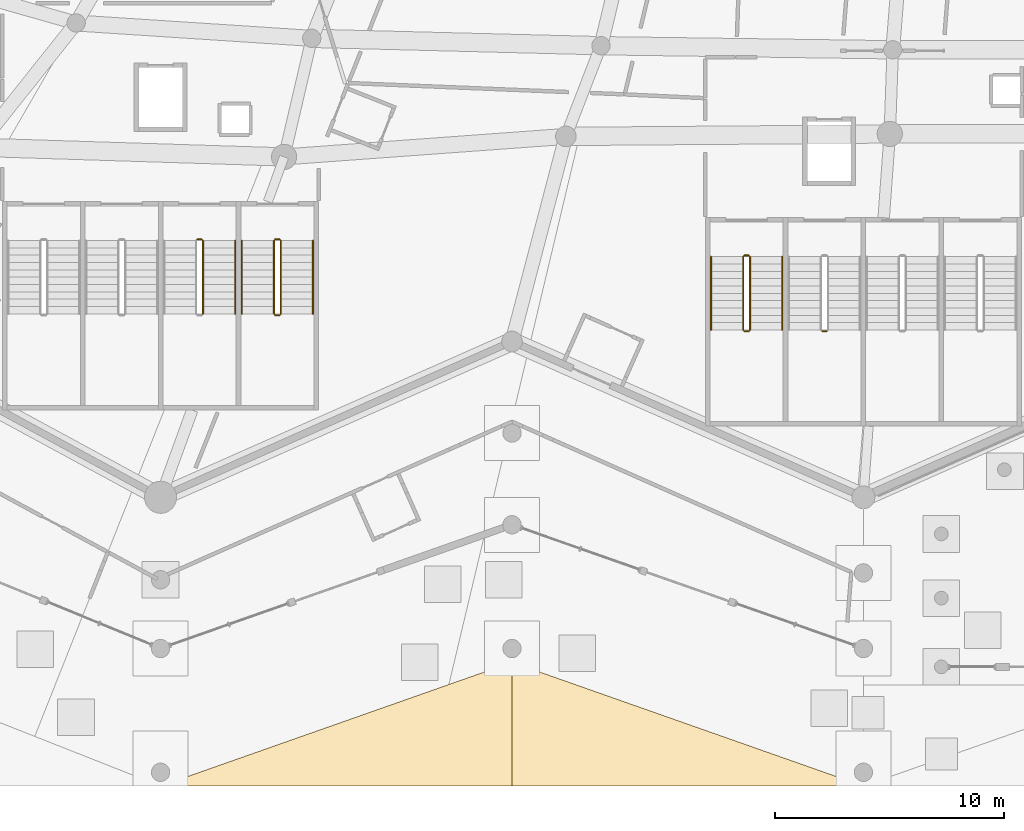
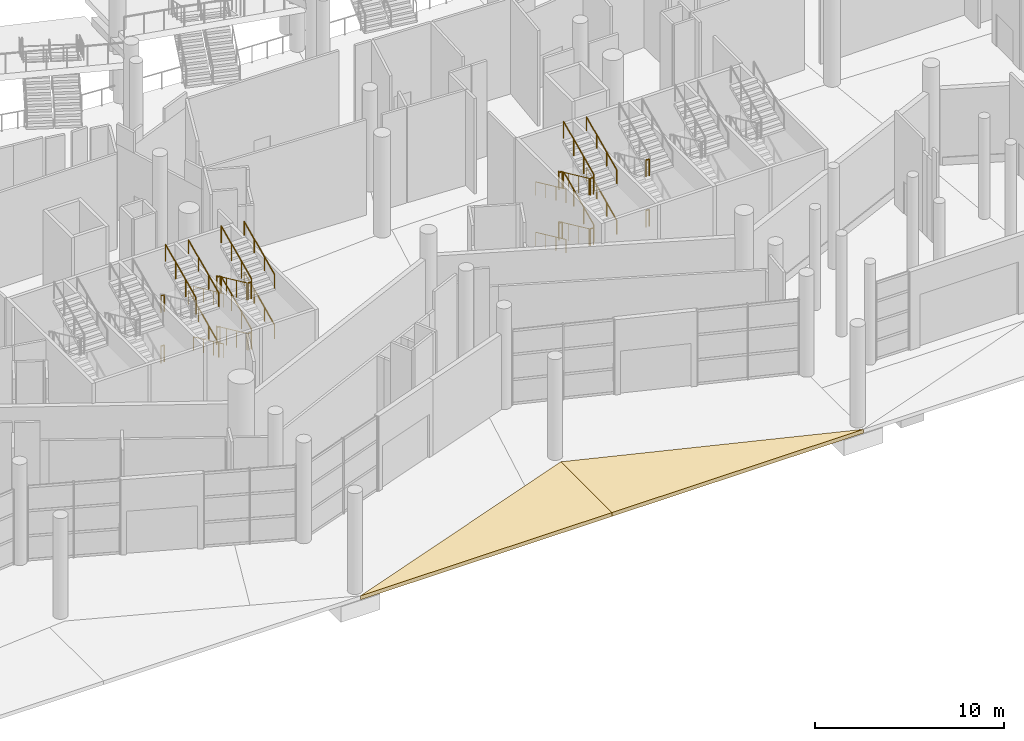
# One storey, part 192 of 255: 31 railings, 2 coverings.
"""IFC4 building model written with IfcOpenShell, lengths in metres."""

from ifc_helpers import new_model, si_unit, direction, frame, origin, origin_2d, place, context, subcontext, project, spatial, polyline, circle, outline, extrude, material, layer, layer_set, type_object, element, save


model = new_model("IFC4")

# Units and contexts
model_context = context("Model", 3, precision=1e-05, world=origin(), true_north=direction((0.0, 1.0)))
body_context = subcontext(model_context, "Body", "Model", "MODEL_VIEW")
ifc_project = project(units=[si_unit("LENGTHUNIT", "METRE"), si_unit("AREAUNIT", "SQUARE_METRE"), si_unit("VOLUMEUNIT", "CUBIC_METRE"), si_unit("PLANEANGLEUNIT", "RADIAN"), si_unit("MASSUNIT", "GRAM", prefix="KILO")], contexts=[model_context])

# Site, building, storey
site_placement = place(None, origin())
site = spatial("IfcSite", under=ifc_project, at=site_placement, CompositionType="ELEMENT")
building_placement = place(site_placement, origin())
building = spatial("IfcBuilding", under=site, at=building_placement, Name="Meseta Stadium", CompositionType="ELEMENT")
storey_placement = place(building_placement, origin())
storey = spatial("IfcBuildingStorey", under=building, at=storey_placement, Name="L00", CompositionType="ELEMENT", Elevation=0.0)

# Coverings
ifc_material_1 = material(Name="Guadarrama granite paving on bedding", Category="masonry")
ifc_layer = layer(ifc_material_1, 0.25)
ifc_layer_set = layer_set([ifc_layer], Name="Ground paving 250")
covering_type = type_object("IfcCoveringType", Name="Ground paving 250", PredefinedType="FLOORING", material=ifc_layer_set)
covering_1_placement = place(storey_placement, frame((0.0, 0.0, -0.25)))
element("IfcCovering", 1, at=covering_1_placement, inside=storey, type_object=covering_type, Name="Forecourt paving 02", PredefinedType="FLOORING", context=body_context, shape_type="SweptSolid", body=[
    extrude(outline(polyline([(-23.0, -112.60009765625), (-38.333251953125, -118.0), (-23.0, -118.0), (-23.0, -112.60009765625)])), origin(), (0.0, 0.0, 1.0), 0.25),
])
covering_2_placement = place(storey_placement, frame((0.0, 0.0, -0.25)))
element("IfcCovering", 2, at=covering_2_placement, inside=storey, type_object=covering_type, Name="Forecourt paving 03", PredefinedType="FLOORING", context=body_context, shape_type="SweptSolid", body=[
    extrude(outline(polyline([(-23.0, -112.60009765625), (-23.0, -118.0), (-7.666748046875, -118.0), (-23.0, -112.60009765625)])), origin(), (0.0, 0.0, 1.0), 0.25),
])

# Railings
ifc_material_2 = material(Name="Steel S355", Category="steel")
railing_type_1 = type_object("IfcRailingType", Name="Stair guard 1100", PredefinedType="GUARDRAIL", material=ifc_material_2)
railing_1_placement = place(storey_placement, frame((-36.7333984375, -94.14990234375, 3.25)))
element("IfcRailing", 3, at=railing_1_placement, inside=storey, type_object=railing_type_1, Name="ST91 L00 guard 4", PredefinedType="GUARDRAIL", context=body_context, shape_type="SweptSolid", body=[
    extrude(circle(Radius=0.02392578125, at=origin_2d()), frame((0.0, 0.0, 1.076171875), z_axis=(1.0, 0.0, 0.0), x_axis=(0.0, 1.0, 0.0)), (0.0, 0.0, 1.0), 0.199951171875),
    extrude(circle(Radius=0.02099609375, at=origin_2d()), origin(), (0.0, 0.0, 1.0), 1.052001953125),
    extrude(circle(Radius=0.02099609375, at=origin_2d()), frame((0.199951171875, 0.0, 0.0)), (0.0, 0.0, 1.0), 1.052001953125),
])
railing_2_placement = place(storey_placement, frame((-36.4833984375, -97.39990234375, 5.022705078125)))
element("IfcRailing", 4, at=railing_2_placement, inside=storey, type_object=railing_type_1, Name="ST91 L00 guard 7", PredefinedType="GUARDRAIL", context=body_context, shape_type="SweptSolid", body=[
    extrude(circle(Radius=0.02392578125, at=origin_2d()), frame((0.0, 0.0, 1.076171875), z_axis=(0.0, 0.907916804346, 0.419150422148), x_axis=(-1.0, 0.0, 0.0)), (0.0, 0.0, 1.0), 3.5244140625),
    extrude(circle(Radius=0.02099609375, at=origin_2d()), origin(), (0.0, 0.0, 1.0), 1.052001953125),
    extrude(circle(Radius=0.02099609375, at=origin_2d()), frame((0.0, 1.066650390625, 0.492431640625)), (0.0, 0.0, 1.0), 1.052001953125),
    extrude(circle(Radius=0.02099609375, at=origin_2d()), frame((0.0, 2.13330078125, 0.98486328125)), (0.0, 0.0, 1.0), 1.052001953125),
    extrude(circle(Radius=0.02099609375, at=origin_2d()), frame((0.0, 3.199951171875, 1.477294921875)), (0.0, 0.0, 1.0), 1.052001953125),
])
railing_3_placement = place(storey_placement, frame((-36.7333984375, -94.14990234375, 0.0)))
element("IfcRailing", 5, at=railing_3_placement, inside=storey, type_object=railing_type_1, Name="ST91 L00 guard 8", PredefinedType="GUARDRAIL", context=body_context, shape_type="SweptSolid", body=[
    extrude(circle(Radius=0.02392578125, at=origin_2d()), frame((0.0, 0.0, 1.076171875), z_axis=(1.0, 0.0, 0.0), x_axis=(0.0, 1.0, 0.0)), (0.0, 0.0, 1.0), 0.199951171875),
    extrude(circle(Radius=0.02099609375, at=origin_2d()), origin(), (0.0, 0.0, 1.0), 1.052001953125),
    extrude(circle(Radius=0.02099609375, at=origin_2d()), frame((0.199951171875, 0.0, 0.0)), (0.0, 0.0, 1.0), 1.052001953125),
])
railing_4_placement = place(storey_placement, frame((-33.38330078125, -94.199951171875, 0.147705078125)))
element("IfcRailing", 6, at=railing_4_placement, inside=storey, type_object=railing_type_1, Name="ST92 L00 guard 1", PredefinedType="GUARDRAIL", context=body_context, shape_type="SweptSolid", body=[
    extrude(circle(Radius=0.02392578125, at=origin_2d()), frame((0.0, 0.0, 1.076171875), z_axis=(0.0, -0.907916804346, 0.419150422148), x_axis=(1.0, 0.0, 0.0)), (0.0, 0.0, 1.0), 3.5244140625),
    extrude(circle(Radius=0.02099609375, at=origin_2d()), origin(), (0.0, 0.0, 1.0), 1.052001953125),
    extrude(circle(Radius=0.02099609375, at=origin_2d()), frame((0.0, -1.066650390625, 0.492431640625)), (0.0, 0.0, 1.0), 1.052001953125),
    extrude(circle(Radius=0.02099609375, at=origin_2d()), frame((0.0, -2.13330078125, 0.98486328125)), (0.0, 0.0, 1.0), 1.052001953125),
    extrude(circle(Radius=0.02099609375, at=origin_2d()), frame((0.0, -3.199951171875, 1.477294921875)), (0.0, 0.0, 1.0), 1.052001953125),
])
railing_5_placement = place(storey_placement, frame((-33.333251953125, -97.449951171875, 1.625)))
element("IfcRailing", 7, at=railing_5_placement, inside=storey, type_object=railing_type_1, Name="ST92 L00 guard 2", PredefinedType="GUARDRAIL", context=body_context, shape_type="SweptSolid", body=[
    extrude(circle(Radius=0.02392578125, at=origin_2d()), frame((0.0, 0.0, 1.076171875), z_axis=(1.0, 0.0, 0.0), x_axis=(0.0, 1.0, 0.0)), (0.0, 0.0, 1.0), 0.199951171875),
    extrude(circle(Radius=0.02099609375, at=origin_2d()), origin(), (0.0, 0.0, 1.0), 1.052001953125),
    extrude(circle(Radius=0.02099609375, at=origin_2d()), frame((0.199951171875, 0.0, 0.0)), (0.0, 0.0, 1.0), 1.052001953125),
])
railing_6_placement = place(storey_placement, frame((-33.083251953125, -97.39990234375, 1.772705078125)))
element("IfcRailing", 8, at=railing_6_placement, inside=storey, type_object=railing_type_1, Name="ST92 L00 guard 3", PredefinedType="GUARDRAIL", context=body_context, shape_type="SweptSolid", body=[
    extrude(circle(Radius=0.02392578125, at=origin_2d()), frame((0.0, 0.0, 1.076171875), z_axis=(0.0, 0.907916804346, 0.419150422148), x_axis=(-1.0, 0.0, 0.0)), (0.0, 0.0, 1.0), 3.5244140625),
    extrude(circle(Radius=0.02099609375, at=origin_2d()), origin(), (0.0, 0.0, 1.0), 1.052001953125),
    extrude(circle(Radius=0.02099609375, at=origin_2d()), frame((0.0, 1.066650390625, 0.492431640625)), (0.0, 0.0, 1.0), 1.052001953125),
    extrude(circle(Radius=0.02099609375, at=origin_2d()), frame((0.0, 2.13330078125, 0.98486328125)), (0.0, 0.0, 1.0), 1.052001953125),
    extrude(circle(Radius=0.02099609375, at=origin_2d()), frame((0.0, 3.199951171875, 1.477294921875)), (0.0, 0.0, 1.0), 1.052001953125),
])
railing_7_placement = place(storey_placement, frame((-33.333251953125, -94.14990234375, 3.25)))
element("IfcRailing", 9, at=railing_7_placement, inside=storey, type_object=railing_type_1, Name="ST92 L00 guard 4", PredefinedType="GUARDRAIL", context=body_context, shape_type="SweptSolid", body=[
    extrude(circle(Radius=0.02392578125, at=origin_2d()), frame((0.0, 0.0, 1.076171875), z_axis=(1.0, 0.0, 0.0), x_axis=(0.0, 1.0, 0.0)), (0.0, 0.0, 1.0), 0.199951171875),
    extrude(circle(Radius=0.02099609375, at=origin_2d()), origin(), (0.0, 0.0, 1.0), 1.052001953125),
    extrude(circle(Radius=0.02099609375, at=origin_2d()), frame((0.199951171875, 0.0, 0.0)), (0.0, 0.0, 1.0), 1.052001953125),
])
railing_8_placement = place(storey_placement, frame((-33.38330078125, -94.199951171875, 3.397705078125)))
element("IfcRailing", 10, at=railing_8_placement, inside=storey, type_object=railing_type_1, Name="ST92 L00 guard 5", PredefinedType="GUARDRAIL", context=body_context, shape_type="SweptSolid", body=[
    extrude(circle(Radius=0.02392578125, at=origin_2d()), frame((0.0, 0.0, 1.076171875), z_axis=(0.0, -0.907916804346, 0.419150422148), x_axis=(1.0, 0.0, 0.0)), (0.0, 0.0, 1.0), 3.5244140625),
    extrude(circle(Radius=0.02099609375, at=origin_2d()), origin(), (0.0, 0.0, 1.0), 1.052001953125),
    extrude(circle(Radius=0.02099609375, at=origin_2d()), frame((0.0, -1.066650390625, 0.492431640625)), (0.0, 0.0, 1.0), 1.052001953125),
    extrude(circle(Radius=0.02099609375, at=origin_2d()), frame((0.0, -2.13330078125, 0.98486328125)), (0.0, 0.0, 1.0), 1.052001953125),
    extrude(circle(Radius=0.02099609375, at=origin_2d()), frame((0.0, -3.199951171875, 1.477294921875)), (0.0, 0.0, 1.0), 1.052001953125),
])
railing_9_placement = place(storey_placement, frame((-33.333251953125, -97.449951171875, 4.875)))
element("IfcRailing", 11, at=railing_9_placement, inside=storey, type_object=railing_type_1, Name="ST92 L00 guard 6", PredefinedType="GUARDRAIL", context=body_context, shape_type="SweptSolid", body=[
    extrude(circle(Radius=0.02392578125, at=origin_2d()), frame((0.0, 0.0, 1.076171875), z_axis=(1.0, 0.0, 0.0), x_axis=(0.0, 1.0, 0.0)), (0.0, 0.0, 1.0), 0.199951171875),
    extrude(circle(Radius=0.02099609375, at=origin_2d()), origin(), (0.0, 0.0, 1.0), 1.052001953125),
    extrude(circle(Radius=0.02099609375, at=origin_2d()), frame((0.199951171875, 0.0, 0.0)), (0.0, 0.0, 1.0), 1.052001953125),
])
railing_10_placement = place(storey_placement, frame((-33.083251953125, -97.39990234375, 5.022705078125)))
element("IfcRailing", 12, at=railing_10_placement, inside=storey, type_object=railing_type_1, Name="ST92 L00 guard 7", PredefinedType="GUARDRAIL", context=body_context, shape_type="SweptSolid", body=[
    extrude(circle(Radius=0.02392578125, at=origin_2d()), frame((0.0, 0.0, 1.076171875), z_axis=(0.0, 0.907916804346, 0.419150422148), x_axis=(-1.0, 0.0, 0.0)), (0.0, 0.0, 1.0), 3.5244140625),
    extrude(circle(Radius=0.02099609375, at=origin_2d()), origin(), (0.0, 0.0, 1.0), 1.052001953125),
    extrude(circle(Radius=0.02099609375, at=origin_2d()), frame((0.0, 1.066650390625, 0.492431640625)), (0.0, 0.0, 1.0), 1.052001953125),
    extrude(circle(Radius=0.02099609375, at=origin_2d()), frame((0.0, 2.13330078125, 0.98486328125)), (0.0, 0.0, 1.0), 1.052001953125),
    extrude(circle(Radius=0.02099609375, at=origin_2d()), frame((0.0, 3.199951171875, 1.477294921875)), (0.0, 0.0, 1.0), 1.052001953125),
])
railing_11_placement = place(storey_placement, frame((-33.333251953125, -94.14990234375, 0.0)))
element("IfcRailing", 13, at=railing_11_placement, inside=storey, type_object=railing_type_1, Name="ST92 L00 guard 8", PredefinedType="GUARDRAIL", context=body_context, shape_type="SweptSolid", body=[
    extrude(circle(Radius=0.02392578125, at=origin_2d()), frame((0.0, 0.0, 1.076171875), z_axis=(1.0, 0.0, 0.0), x_axis=(0.0, 1.0, 0.0)), (0.0, 0.0, 1.0), 0.199951171875),
    extrude(circle(Radius=0.02099609375, at=origin_2d()), origin(), (0.0, 0.0, 1.0), 1.052001953125),
    extrude(circle(Radius=0.02099609375, at=origin_2d()), frame((0.199951171875, 0.0, 0.0)), (0.0, 0.0, 1.0), 1.052001953125),
])
railing_12_placement = place(storey_placement, frame((-12.916748046875, -94.89990234375, 0.147705078125)))
element("IfcRailing", 14, at=railing_12_placement, inside=storey, type_object=railing_type_1, Name="ST93 L00 guard 1", PredefinedType="GUARDRAIL", context=body_context, shape_type="SweptSolid", body=[
    extrude(circle(Radius=0.02392578125, at=origin_2d()), frame((0.0, 0.0, 1.076171875), z_axis=(0.0, -0.907928972973, 0.419124062821), x_axis=(1.0, 0.0, 0.0)), (0.0, 0.0, 1.0), 3.524658203125),
    extrude(circle(Radius=0.02099609375, at=origin_2d()), origin(), (0.0, 0.0, 1.0), 1.052001953125),
    extrude(circle(Radius=0.02099609375, at=origin_2d()), frame((0.0, -1.066650390625, 0.492431640625)), (0.0, 0.0, 1.0), 1.052001953125),
    extrude(circle(Radius=0.02099609375, at=origin_2d()), frame((0.0, -2.133544921875, 0.98486328125)), (0.0, 0.0, 1.0), 1.052001953125),
    extrude(circle(Radius=0.02099609375, at=origin_2d()), frame((0.0, -3.2001953125, 1.477294921875)), (0.0, 0.0, 1.0), 1.052001953125),
])
railing_13_placement = place(storey_placement, frame((-12.86669921875, -98.14990234375, 1.625)))
element("IfcRailing", 15, at=railing_13_placement, inside=storey, type_object=railing_type_1, Name="ST93 L00 guard 2", PredefinedType="GUARDRAIL", context=body_context, shape_type="SweptSolid", body=[
    extrude(circle(Radius=0.02392578125, at=origin_2d()), frame((0.0, 0.0, 1.076171875), z_axis=(1.0, 0.0, 0.0), x_axis=(0.0, 1.0, 0.0)), (0.0, 0.0, 1.0), 0.199951171875),
    extrude(circle(Radius=0.02099609375, at=origin_2d()), origin(), (0.0, 0.0, 1.0), 1.052001953125),
    extrude(circle(Radius=0.02099609375, at=origin_2d()), frame((0.199951171875, 0.0, 0.0)), (0.0, 0.0, 1.0), 1.052001953125),
])
railing_14_placement = place(storey_placement, frame((-12.61669921875, -98.10009765625, 1.772705078125)))
element("IfcRailing", 16, at=railing_14_placement, inside=storey, type_object=railing_type_1, Name="ST93 L00 guard 3", PredefinedType="GUARDRAIL", context=body_context, shape_type="SweptSolid", body=[
    extrude(circle(Radius=0.02392578125, at=origin_2d()), frame((0.0, 0.0, 1.076171875), z_axis=(0.0, 0.907928972973, 0.419124062821), x_axis=(-1.0, 0.0, 0.0)), (0.0, 0.0, 1.0), 3.524658203125),
    extrude(circle(Radius=0.02099609375, at=origin_2d()), origin(), (0.0, 0.0, 1.0), 1.052001953125),
    extrude(circle(Radius=0.02099609375, at=origin_2d()), frame((0.0, 1.066650390625, 0.492431640625)), (0.0, 0.0, 1.0), 1.052001953125),
    extrude(circle(Radius=0.02099609375, at=origin_2d()), frame((0.0, 2.133544921875, 0.98486328125)), (0.0, 0.0, 1.0), 1.052001953125),
    extrude(circle(Radius=0.02099609375, at=origin_2d()), frame((0.0, 3.2001953125, 1.477294921875)), (0.0, 0.0, 1.0), 1.052001953125),
])
railing_15_placement = place(storey_placement, frame((-12.86669921875, -94.85009765625, 3.25)))
element("IfcRailing", 17, at=railing_15_placement, inside=storey, type_object=railing_type_1, Name="ST93 L00 guard 4", PredefinedType="GUARDRAIL", context=body_context, shape_type="SweptSolid", body=[
    extrude(circle(Radius=0.02392578125, at=origin_2d()), frame((0.0, 0.0, 1.076171875), z_axis=(1.0, 0.0, 0.0), x_axis=(0.0, 1.0, 0.0)), (0.0, 0.0, 1.0), 0.199951171875),
    extrude(circle(Radius=0.02099609375, at=origin_2d()), origin(), (0.0, 0.0, 1.0), 1.052001953125),
    extrude(circle(Radius=0.02099609375, at=origin_2d()), frame((0.199951171875, 0.0, 0.0)), (0.0, 0.0, 1.0), 1.052001953125),
])
railing_16_placement = place(storey_placement, frame((-12.916748046875, -94.89990234375, 3.397705078125)))
element("IfcRailing", 18, at=railing_16_placement, inside=storey, type_object=railing_type_1, Name="ST93 L00 guard 5", PredefinedType="GUARDRAIL", context=body_context, shape_type="SweptSolid", body=[
    extrude(circle(Radius=0.02392578125, at=origin_2d()), frame((0.0, 0.0, 1.076171875), z_axis=(0.0, -0.907928972973, 0.419124062821), x_axis=(1.0, 0.0, 0.0)), (0.0, 0.0, 1.0), 3.524658203125),
    extrude(circle(Radius=0.02099609375, at=origin_2d()), origin(), (0.0, 0.0, 1.0), 1.052001953125),
    extrude(circle(Radius=0.02099609375, at=origin_2d()), frame((0.0, -1.066650390625, 0.492431640625)), (0.0, 0.0, 1.0), 1.052001953125),
    extrude(circle(Radius=0.02099609375, at=origin_2d()), frame((0.0, -2.133544921875, 0.98486328125)), (0.0, 0.0, 1.0), 1.052001953125),
    extrude(circle(Radius=0.02099609375, at=origin_2d()), frame((0.0, -3.2001953125, 1.477294921875)), (0.0, 0.0, 1.0), 1.052001953125),
])
railing_17_placement = place(storey_placement, frame((-12.86669921875, -98.14990234375, 4.875)))
element("IfcRailing", 19, at=railing_17_placement, inside=storey, type_object=railing_type_1, Name="ST93 L00 guard 6", PredefinedType="GUARDRAIL", context=body_context, shape_type="SweptSolid", body=[
    extrude(circle(Radius=0.02392578125, at=origin_2d()), frame((0.0, 0.0, 1.076171875), z_axis=(1.0, 0.0, 0.0), x_axis=(0.0, 1.0, 0.0)), (0.0, 0.0, 1.0), 0.199951171875),
    extrude(circle(Radius=0.02099609375, at=origin_2d()), origin(), (0.0, 0.0, 1.0), 1.052001953125),
    extrude(circle(Radius=0.02099609375, at=origin_2d()), frame((0.199951171875, 0.0, 0.0)), (0.0, 0.0, 1.0), 1.052001953125),
])
railing_18_placement = place(storey_placement, frame((-12.61669921875, -98.10009765625, 5.022705078125)))
element("IfcRailing", 20, at=railing_18_placement, inside=storey, type_object=railing_type_1, Name="ST93 L00 guard 7", PredefinedType="GUARDRAIL", context=body_context, shape_type="SweptSolid", body=[
    extrude(circle(Radius=0.02392578125, at=origin_2d()), frame((0.0, 0.0, 1.076171875), z_axis=(0.0, 0.907928972973, 0.419124062821), x_axis=(-1.0, 0.0, 0.0)), (0.0, 0.0, 1.0), 3.524658203125),
    extrude(circle(Radius=0.02099609375, at=origin_2d()), origin(), (0.0, 0.0, 1.0), 1.052001953125),
    extrude(circle(Radius=0.02099609375, at=origin_2d()), frame((0.0, 1.066650390625, 0.492431640625)), (0.0, 0.0, 1.0), 1.052001953125),
    extrude(circle(Radius=0.02099609375, at=origin_2d()), frame((0.0, 2.133544921875, 0.98486328125)), (0.0, 0.0, 1.0), 1.052001953125),
    extrude(circle(Radius=0.02099609375, at=origin_2d()), frame((0.0, 3.2001953125, 1.477294921875)), (0.0, 0.0, 1.0), 1.052001953125),
])
for number, where, name in (
    (21, (-12.86669921875, -94.85009765625, 0.0), "ST93 L00 guard 8"),
    (22, (-9.466552734375, -98.14990234375, 1.625), "ST94 L00 guard 2"),
    (23, (-9.466552734375, -98.14990234375, 4.875), "ST94 L00 guard 6"),
):
    element("IfcRailing", number, at=place(storey_placement, frame(where)), inside=storey, type_object=railing_type_1, Name=name, PredefinedType="GUARDRAIL", context=body_context, shape_type="SweptSolid", body=[
        extrude(circle(Radius=0.02392578125, at=origin_2d()), frame((0.0, 0.0, 1.076171875), z_axis=(1.0, 0.0, 0.0), x_axis=(0.0, 1.0, 0.0)), (0.0, 0.0, 1.0), 0.199951171875),
        extrude(circle(Radius=0.02099609375, at=origin_2d()), origin(), (0.0, 0.0, 1.0), 1.052001953125),
        extrude(circle(Radius=0.02099609375, at=origin_2d()), frame((0.199951171875, 0.0, 0.0)), (0.0, 0.0, 1.0), 1.052001953125),
    ])
ifc_material_3 = material(Name="Steel S355", Category="steel")
railing_type_2 = type_object("IfcRailingType", Name="Stair handrail 900", PredefinedType="HANDRAIL", material=ifc_material_3)
for number, where, name in (
    (24, (-35.083251953125, -97.39990234375, 1.772705078125), "ST91 L00 handrail 2"),
    (25, (-35.083251953125, -97.39990234375, 5.022705078125), "ST91 L00 handrail 4"),
):
    element("IfcRailing", number, at=place(storey_placement, frame(where)), inside=storey, type_object=railing_type_2, Name=name, PredefinedType="HANDRAIL", context=body_context, shape_type="SweptSolid", body=[
        extrude(circle(Radius=0.02392578125, at=origin_2d()), frame((0.0, 0.0, 0.8759765625), z_axis=(0.0, 0.907916804346, 0.419150422148), x_axis=(-1.0, 0.0, 0.0)), (0.0, 0.0, 1.0), 3.5244140625),
        extrude(circle(Radius=0.02099609375, at=origin_2d()), origin(), (0.0, 0.0, 1.0), 0.851806640625),
        extrude(circle(Radius=0.02099609375, at=origin_2d()), frame((0.0, 1.066650390625, 0.492431640625)), (0.0, 0.0, 1.0), 0.851806640625),
        extrude(circle(Radius=0.02099609375, at=origin_2d()), frame((0.0, 2.13330078125, 0.98486328125)), (0.0, 0.0, 1.0), 0.851806640625),
        extrude(circle(Radius=0.02099609375, at=origin_2d()), frame((0.0, 3.199951171875, 1.477294921875)), (0.0, 0.0, 1.0), 0.851806640625),
    ])
railing_19_placement = place(storey_placement, frame((-34.783447265625, -94.199951171875, 0.147705078125)))
element("IfcRailing", 26, at=railing_19_placement, inside=storey, type_object=railing_type_2, Name="ST92 L00 handrail 1", PredefinedType="HANDRAIL", context=body_context, shape_type="SweptSolid", body=[
    extrude(circle(Radius=0.02392578125, at=origin_2d()), frame((0.0, 0.0, 0.8759765625), z_axis=(0.0, -0.907916804346, 0.419150422148), x_axis=(1.0, 0.0, 0.0)), (0.0, 0.0, 1.0), 3.5244140625),
    extrude(circle(Radius=0.02099609375, at=origin_2d()), origin(), (0.0, 0.0, 1.0), 0.851806640625),
    extrude(circle(Radius=0.02099609375, at=origin_2d()), frame((0.0, -1.066650390625, 0.492431640625)), (0.0, 0.0, 1.0), 0.851806640625),
    extrude(circle(Radius=0.02099609375, at=origin_2d()), frame((0.0, -2.13330078125, 0.98486328125)), (0.0, 0.0, 1.0), 0.851806640625),
    extrude(circle(Radius=0.02099609375, at=origin_2d()), frame((0.0, -3.199951171875, 1.477294921875)), (0.0, 0.0, 1.0), 0.851806640625),
])
railing_20_placement = place(storey_placement, frame((-31.683349609375, -97.39990234375, 1.772705078125)))
element("IfcRailing", 27, at=railing_20_placement, inside=storey, type_object=railing_type_2, Name="ST92 L00 handrail 2", PredefinedType="HANDRAIL", context=body_context, shape_type="SweptSolid", body=[
    extrude(circle(Radius=0.02392578125, at=origin_2d()), frame((0.0, 0.0, 0.8759765625), z_axis=(0.0, 0.907916804346, 0.419150422148), x_axis=(-1.0, 0.0, 0.0)), (0.0, 0.0, 1.0), 3.5244140625),
    extrude(circle(Radius=0.02099609375, at=origin_2d()), origin(), (0.0, 0.0, 1.0), 0.851806640625),
    extrude(circle(Radius=0.02099609375, at=origin_2d()), frame((0.0, 1.066650390625, 0.492431640625)), (0.0, 0.0, 1.0), 0.851806640625),
    extrude(circle(Radius=0.02099609375, at=origin_2d()), frame((0.0, 2.13330078125, 0.98486328125)), (0.0, 0.0, 1.0), 0.851806640625),
    extrude(circle(Radius=0.02099609375, at=origin_2d()), frame((0.0, 3.199951171875, 1.477294921875)), (0.0, 0.0, 1.0), 0.851806640625),
])
railing_21_placement = place(storey_placement, frame((-34.783447265625, -94.199951171875, 3.397705078125)))
element("IfcRailing", 28, at=railing_21_placement, inside=storey, type_object=railing_type_2, Name="ST92 L00 handrail 3", PredefinedType="HANDRAIL", context=body_context, shape_type="SweptSolid", body=[
    extrude(circle(Radius=0.02392578125, at=origin_2d()), frame((0.0, 0.0, 0.8759765625), z_axis=(0.0, -0.907916804346, 0.419150422148), x_axis=(1.0, 0.0, 0.0)), (0.0, 0.0, 1.0), 3.5244140625),
    extrude(circle(Radius=0.02099609375, at=origin_2d()), origin(), (0.0, 0.0, 1.0), 0.851806640625),
    extrude(circle(Radius=0.02099609375, at=origin_2d()), frame((0.0, -1.066650390625, 0.492431640625)), (0.0, 0.0, 1.0), 0.851806640625),
    extrude(circle(Radius=0.02099609375, at=origin_2d()), frame((0.0, -2.13330078125, 0.98486328125)), (0.0, 0.0, 1.0), 0.851806640625),
    extrude(circle(Radius=0.02099609375, at=origin_2d()), frame((0.0, -3.199951171875, 1.477294921875)), (0.0, 0.0, 1.0), 0.851806640625),
])
railing_22_placement = place(storey_placement, frame((-31.683349609375, -97.39990234375, 5.022705078125)))
element("IfcRailing", 29, at=railing_22_placement, inside=storey, type_object=railing_type_2, Name="ST92 L00 handrail 4", PredefinedType="HANDRAIL", context=body_context, shape_type="SweptSolid", body=[
    extrude(circle(Radius=0.02392578125, at=origin_2d()), frame((0.0, 0.0, 0.8759765625), z_axis=(0.0, 0.907916804346, 0.419150422148), x_axis=(-1.0, 0.0, 0.0)), (0.0, 0.0, 1.0), 3.5244140625),
    extrude(circle(Radius=0.02099609375, at=origin_2d()), origin(), (0.0, 0.0, 1.0), 0.851806640625),
    extrude(circle(Radius=0.02099609375, at=origin_2d()), frame((0.0, 1.066650390625, 0.492431640625)), (0.0, 0.0, 1.0), 0.851806640625),
    extrude(circle(Radius=0.02099609375, at=origin_2d()), frame((0.0, 2.13330078125, 0.98486328125)), (0.0, 0.0, 1.0), 0.851806640625),
    extrude(circle(Radius=0.02099609375, at=origin_2d()), frame((0.0, 3.199951171875, 1.477294921875)), (0.0, 0.0, 1.0), 0.851806640625),
])
railing_23_placement = place(storey_placement, frame((-14.316650390625, -94.89990234375, 0.147705078125)))
element("IfcRailing", 30, at=railing_23_placement, inside=storey, type_object=railing_type_2, Name="ST93 L00 handrail 1", PredefinedType="HANDRAIL", context=body_context, shape_type="SweptSolid", body=[
    extrude(circle(Radius=0.02392578125, at=origin_2d()), frame((0.0, 0.0, 0.8759765625), z_axis=(0.0, -0.907928972973, 0.419124062821), x_axis=(1.0, 0.0, 0.0)), (0.0, 0.0, 1.0), 3.524658203125),
    extrude(circle(Radius=0.02099609375, at=origin_2d()), origin(), (0.0, 0.0, 1.0), 0.851806640625),
    extrude(circle(Radius=0.02099609375, at=origin_2d()), frame((0.0, -1.066650390625, 0.492431640625)), (0.0, 0.0, 1.0), 0.851806640625),
    extrude(circle(Radius=0.02099609375, at=origin_2d()), frame((0.0, -2.133544921875, 0.98486328125)), (0.0, 0.0, 1.0), 0.851806640625),
    extrude(circle(Radius=0.02099609375, at=origin_2d()), frame((0.0, -3.2001953125, 1.477294921875)), (0.0, 0.0, 1.0), 0.851806640625),
])
railing_24_placement = place(storey_placement, frame((-11.216552734375, -98.10009765625, 1.772705078125)))
element("IfcRailing", 31, at=railing_24_placement, inside=storey, type_object=railing_type_2, Name="ST93 L00 handrail 2", PredefinedType="HANDRAIL", context=body_context, shape_type="SweptSolid", body=[
    extrude(circle(Radius=0.02392578125, at=origin_2d()), frame((0.0, 0.0, 0.8759765625), z_axis=(0.0, 0.907928972973, 0.419124062821), x_axis=(-1.0, 0.0, 0.0)), (0.0, 0.0, 1.0), 3.524658203125),
    extrude(circle(Radius=0.02099609375, at=origin_2d()), origin(), (0.0, 0.0, 1.0), 0.851806640625),
    extrude(circle(Radius=0.02099609375, at=origin_2d()), frame((0.0, 1.066650390625, 0.492431640625)), (0.0, 0.0, 1.0), 0.851806640625),
    extrude(circle(Radius=0.02099609375, at=origin_2d()), frame((0.0, 2.133544921875, 0.98486328125)), (0.0, 0.0, 1.0), 0.851806640625),
    extrude(circle(Radius=0.02099609375, at=origin_2d()), frame((0.0, 3.2001953125, 1.477294921875)), (0.0, 0.0, 1.0), 0.851806640625),
])
railing_25_placement = place(storey_placement, frame((-14.316650390625, -94.89990234375, 3.397705078125)))
element("IfcRailing", 32, at=railing_25_placement, inside=storey, type_object=railing_type_2, Name="ST93 L00 handrail 3", PredefinedType="HANDRAIL", context=body_context, shape_type="SweptSolid", body=[
    extrude(circle(Radius=0.02392578125, at=origin_2d()), frame((0.0, 0.0, 0.8759765625), z_axis=(0.0, -0.907928972973, 0.419124062821), x_axis=(1.0, 0.0, 0.0)), (0.0, 0.0, 1.0), 3.524658203125),
    extrude(circle(Radius=0.02099609375, at=origin_2d()), origin(), (0.0, 0.0, 1.0), 0.851806640625),
    extrude(circle(Radius=0.02099609375, at=origin_2d()), frame((0.0, -1.066650390625, 0.492431640625)), (0.0, 0.0, 1.0), 0.851806640625),
    extrude(circle(Radius=0.02099609375, at=origin_2d()), frame((0.0, -2.133544921875, 0.98486328125)), (0.0, 0.0, 1.0), 0.851806640625),
    extrude(circle(Radius=0.02099609375, at=origin_2d()), frame((0.0, -3.2001953125, 1.477294921875)), (0.0, 0.0, 1.0), 0.851806640625),
])
railing_26_placement = place(storey_placement, frame((-11.216552734375, -98.10009765625, 5.022705078125)))
element("IfcRailing", 33, at=railing_26_placement, inside=storey, type_object=railing_type_2, Name="ST93 L00 handrail 4", PredefinedType="HANDRAIL", context=body_context, shape_type="SweptSolid", body=[
    extrude(circle(Radius=0.02392578125, at=origin_2d()), frame((0.0, 0.0, 0.8759765625), z_axis=(0.0, 0.907928972973, 0.419124062821), x_axis=(-1.0, 0.0, 0.0)), (0.0, 0.0, 1.0), 3.524658203125),
    extrude(circle(Radius=0.02099609375, at=origin_2d()), origin(), (0.0, 0.0, 1.0), 0.851806640625),
    extrude(circle(Radius=0.02099609375, at=origin_2d()), frame((0.0, 1.066650390625, 0.492431640625)), (0.0, 0.0, 1.0), 0.851806640625),
    extrude(circle(Radius=0.02099609375, at=origin_2d()), frame((0.0, 2.133544921875, 0.98486328125)), (0.0, 0.0, 1.0), 0.851806640625),
    extrude(circle(Radius=0.02099609375, at=origin_2d()), frame((0.0, 3.2001953125, 1.477294921875)), (0.0, 0.0, 1.0), 0.851806640625),
])

save(model, "model.ifc")
